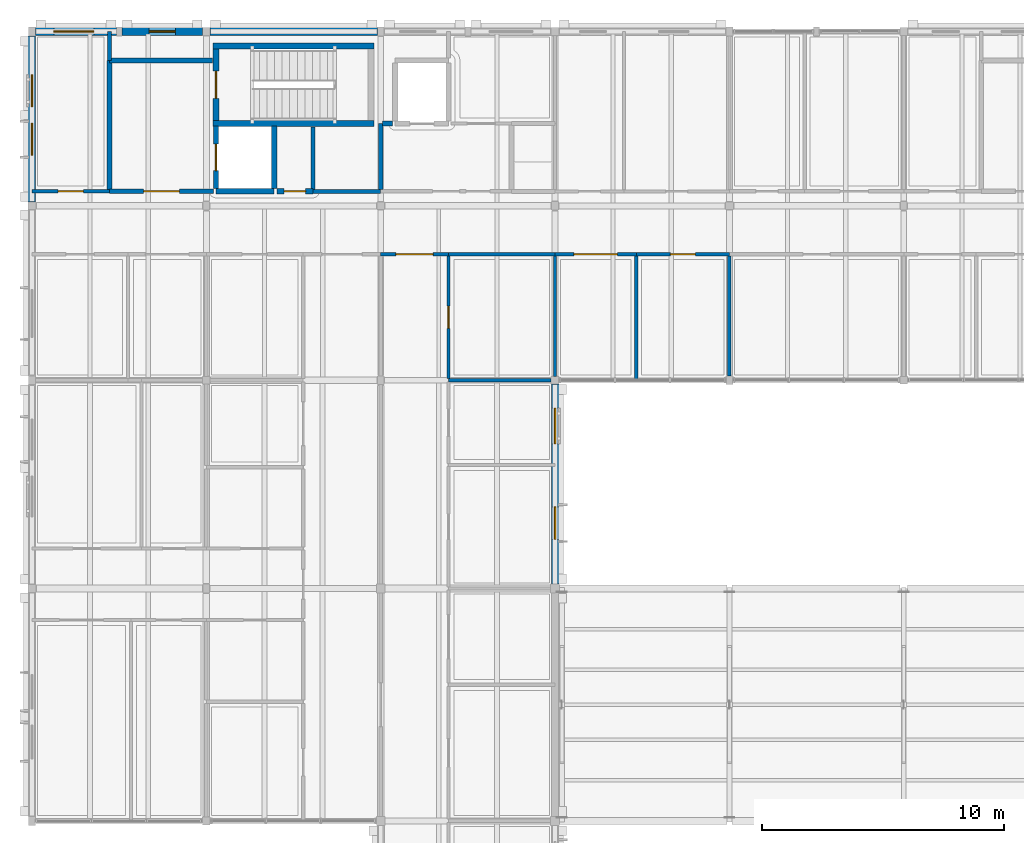
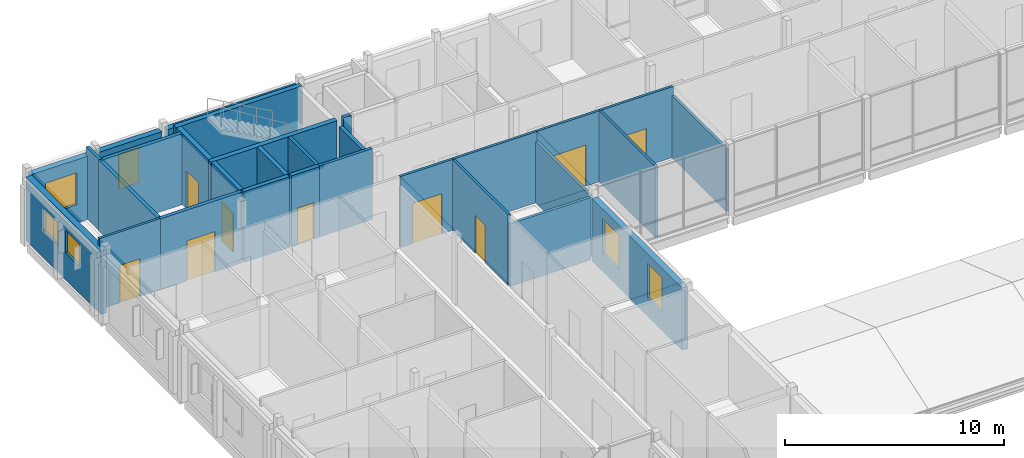
# One storey, part 86 of 115: 30 walls, 9 doors, 6 windows, 15 openings.
"""IFC4 building model written with IfcOpenShell, lengths in metres."""

import ifcopenshell
import ifcopenshell.guid

model = None  # the IFC model being written
_history = None  # IfcOwnerHistory: only IFC2X3 demands one
_inside = {}  # id of a spatial element -> (the spatial element, [elements in it])
_under = {}  # id of a project, library or spatial element -> (it, [spatial elements below it])
_declared = {}  # id of a project -> (the project, [libraries it declares])
_typed = {}  # id of a type object -> (the type object, [elements of that type])
_made_of = {}  # id of a material, layer set ... -> (it, [elements and type objects made of it])


def new_model(schema):
    """Start an empty IFC model of exactly this schema.

    Asked for "IFC4X3", IfcOpenShell would pick the latest addendum, in which some entities
    have other attributes; the version numbers below select the first issue.
    IFC2X3 requires an IfcOwnerHistory on every rooted entity: one is made here for all.
    """
    global model, _history
    if schema == "IFC4X3":
        model = ifcopenshell.file(schema_version=(4, 3, 0, 0))
    else:
        model = ifcopenshell.file(schema=schema)
    _inside.clear()
    _under.clear()
    _declared.clear()
    _typed.clear()
    _made_of.clear()
    _history = None
    if model.schema == "IFC2X3":
        org = make("IfcOrganization", Name="unknown")
        user = make(
            "IfcPersonAndOrganization",
            ThePerson=make("IfcPerson", FamilyName="unknown"),
            TheOrganization=org,
        )
        app = make(
            "IfcApplication",
            ApplicationDeveloper=org,
            Version="unknown",
            ApplicationFullName="unknown",
            ApplicationIdentifier="unknown",
        )
        _history = make(
            "IfcOwnerHistory",
            OwningUser=user,
            OwningApplication=app,
            ChangeAction="ADDED",
            CreationDate=0,
        )
    return model


def make(cls, **values):
    """One entity of the class cls with the attributes given. An attribute that is None is left unset."""
    return model.create_entity(
        cls, **{name: value for name, value in values.items() if value is not None}
    )


def rooted(cls, **values):
    """An entity with a GlobalId (a new one), such as an element, a storey or a relation."""
    return make(cls, GlobalId=ifcopenshell.guid.new(), OwnerHistory=_history, **values)


def si_unit(unit_type, name, prefix=None):
    """IfcSIUnit, for example si_unit("LENGTHUNIT", "METRE", prefix="MILLI")."""
    return make("IfcSIUnit", UnitType=unit_type, Prefix=prefix, Name=name)


def assignment(units):
    """IfcUnitAssignment: the units of a project."""
    return None if units is None else make("IfcUnitAssignment", Units=units)


def point(xyz):
    """IfcCartesianPoint."""
    return None if xyz is None else make("IfcCartesianPoint", Coordinates=xyz)


def direction(xyz):
    """IfcDirection."""
    return None if xyz is None else make("IfcDirection", DirectionRatios=xyz)


def frame(location, z_axis=None, x_axis=None):
    """IfcAxis2Placement3D, a coordinate frame: its origin and axes. An axis left out is left unset."""
    return make(
        "IfcAxis2Placement3D",
        Location=point(location),
        Axis=direction(z_axis),
        RefDirection=direction(x_axis),
    )


def frame_2d(location, x_axis=None):
    """IfcAxis2Placement2D, a coordinate frame in the plane: its origin and x axis."""
    return make(
        "IfcAxis2Placement2D", Location=point(location), RefDirection=direction(x_axis)
    )


def origin():
    """The frame at (0, 0, 0) with its axes left unset."""
    return frame((0.0, 0.0, 0.0))


def place(relative_to, where):
    """IfcLocalPlacement: puts the frame where relative to a parent placement (None: the world)."""
    return make(
        "IfcLocalPlacement", PlacementRelTo=relative_to, RelativePlacement=where
    )


def context(
    kind, dimensions, precision=None, world=None, true_north=None, identifier=None
):
    """IfcGeometricRepresentationContext, for example the 3D "Model" context."""
    return make(
        "IfcGeometricRepresentationContext",
        ContextIdentifier=identifier,
        ContextType=kind,
        CoordinateSpaceDimension=dimensions,
        Precision=precision,
        WorldCoordinateSystem=world,
        TrueNorth=true_north,
    )


def subcontext(parent, identifier, kind, view, scale=None):
    """IfcGeometricRepresentationSubContext, for example "Body" below "Model"."""
    return make(
        "IfcGeometricRepresentationSubContext",
        ContextIdentifier=identifier,
        ContextType=kind,
        ParentContext=parent,
        TargetScale=scale,
        TargetView=view,
    )


def project(units=None, contexts=None):
    """IfcProject with its units and contexts."""
    return rooted(
        "IfcProject",
        Name="project",
        RepresentationContexts=contexts,
        UnitsInContext=assignment(units),
    )


def spatial(cls, under=None, at=None, **own):
    """A site, building, storey or space (cls), placed at a placement, below another one or the project."""
    s = rooted(cls, ObjectPlacement=at, **own)
    if under is not None:
        _under.setdefault(under.id(), (under, []))[1].append(s)
    return s


def profile(cls, at=None, kind="AREA", **sizes):
    """A parametric profile (cls). Its sizes go by their IFC names, for example OverallWidth=200.0."""
    return make(cls, ProfileType=kind, Position=at, **sizes)


def rectangle(**sizes):
    """IfcRectangleProfileDef."""
    return profile("IfcRectangleProfileDef", **sizes)


def extrude(swept, where, along, depth):
    """IfcExtrudedAreaSolid: the profile swept, set in the frame where, extruded along a direction by depth."""
    return make(
        "IfcExtrudedAreaSolid",
        SweptArea=swept,
        Position=where,
        ExtrudedDirection=direction(along),
        Depth=depth,
    )


def shape(context_of_items, identifier, shape_type, items):
    """IfcShapeRepresentation: the items that make up one representation, for example the "Body"."""
    return make(
        "IfcShapeRepresentation",
        ContextOfItems=context_of_items,
        RepresentationIdentifier=identifier,
        RepresentationType=shape_type,
        Items=items,
    )


def material(Name=None, Category=None):
    """IfcMaterial."""
    return make("IfcMaterial", Name=Name, Category=Category)


def layer(
    of_material, thickness, ventilated=None, Name=None, Category=None, Priority=None
):
    """IfcMaterialLayer: one layer of a wall or slab, of a material (None: an air gap)."""
    return make(
        "IfcMaterialLayer",
        Material=of_material,
        LayerThickness=thickness,
        IsVentilated=ventilated,
        Name=Name,
        Category=Category,
        Priority=Priority,
    )


def layer_set(layers, Name=None):
    """IfcMaterialLayerSet."""
    return make("IfcMaterialLayerSet", MaterialLayers=layers, LayerSetName=Name)


def made_of(thing, what):
    """Note that an element or type object is made of a material, layer set ...; save() writes the relation."""
    if what is not None:
        _made_of.setdefault(what.id(), (what, []))[1].append(thing)
    return thing


def type_object(cls, material=None, **own):
    """A type object (cls), such as IfcWallType, which elements share."""
    return made_of(rooted(cls, **own), material)


def element(
    cls,
    number,
    at=None,
    inside=None,
    cuts=None,
    type_object=None,
    material=None,
    context=None,
    identifier="Body",
    shape_type=None,
    held_by="IfcProductDefinitionShape",
    body=None,
    shapes=None,
    **own,
):
    """One element of the class cls, such as IfcWall. Its Tag is "e" and its number.

    at: its placement. inside: the storey or other place that contains it. cuts: it is an
    opening in that element (IfcRelVoidsElement). A single representation is given by context,
    identifier, shape_type and body (its items); several are given by shapes. held_by: the class
    of the entity that holds the representations. save() writes the other relations.
    """
    e = rooted(cls, Tag="e%d" % number, ObjectPlacement=at, **own)
    if body is not None:
        shapes = [shape(context, identifier, shape_type, body)]
    if shapes is not None:
        e.Representation = make(held_by, Representations=shapes)
    if inside is not None:
        _inside.setdefault(inside.id(), (inside, []))[1].append(e)
    if cuts is not None:
        rooted(
            "IfcRelVoidsElement", RelatingBuildingElement=cuts, RelatedOpeningElement=e
        )
    if type_object is not None:
        _typed.setdefault(type_object.id(), (type_object, []))[1].append(e)
    return made_of(e, material)


def fill(opening, filler):
    """IfcRelFillsElement: the door or window that sits in an opening."""
    return rooted(
        "IfcRelFillsElement",
        RelatingOpeningElement=opening,
        RelatedBuildingElement=filler,
    )


def aggregate(whole, parts):
    """IfcRelAggregates: a whole, such as a stair, and the parts it consists of."""
    return rooted("IfcRelAggregates", RelatingObject=whole, RelatedObjects=parts)


def save(model, path):
    """Write the relations noted so far, then the file.

    IfcRelAggregates (storeys below a building ...), IfcRelContainedInSpatialStructure (elements
    in a storey), IfcRelDefinesByType, IfcRelAssociatesMaterial and IfcRelDeclares: one each for
    every whole, place, type object, material and project.
    """
    for whole, parts in _under.values():
        aggregate(whole, parts)
    for where, things in _inside.values():
        rooted(
            "IfcRelContainedInSpatialStructure",
            RelatedElements=things,
            RelatingStructure=where,
        )
    for kind, things in _typed.values():
        rooted("IfcRelDefinesByType", RelatedObjects=things, RelatingType=kind)
    for what, things in _made_of.values():
        rooted("IfcRelAssociatesMaterial", RelatedObjects=things, RelatingMaterial=what)
    for by, libraries in _declared.values():
        rooted("IfcRelDeclares", RelatingContext=by, RelatedDefinitions=libraries)
    model.write(path)


model = new_model("IFC4")

# Units and contexts
model_context = context("Model", 3, precision=1e-05, world=origin(), true_north=direction((0.0, 1.0)))
body_context = subcontext(model_context, "Body", "Model", "MODEL_VIEW")
ifc_project = project(units=[si_unit("LENGTHUNIT", "METRE"), si_unit("AREAUNIT", "SQUARE_METRE"), si_unit("VOLUMEUNIT", "CUBIC_METRE"), si_unit("PLANEANGLEUNIT", "RADIAN"), si_unit("MASSUNIT", "GRAM", prefix="KILO")], contexts=[model_context])

# Site, building, storey
site_placement = place(None, origin())
site = spatial("IfcSite", under=ifc_project, at=site_placement, CompositionType="ELEMENT")
building_placement = place(site_placement, origin())
building = spatial("IfcBuilding", under=site, at=building_placement, Name="Hawrajan Terrace Health Centre", CompositionType="ELEMENT")
storey_placement = place(building_placement, frame((0.0, 0.0, 9.0)))
storey = spatial("IfcBuildingStorey", under=building, at=storey_placement, Name="L02", CompositionType="ELEMENT", Elevation=9.0)

# Wall, opening, window
ifc_material_1 = material(Name="Precast concrete C40/50", Category="concrete")
ifc_layer_1 = layer(ifc_material_1, 0.31005859375)
ifc_layer_set_1 = layer_set([ifc_layer_1], Name="Precast concrete C40/50")
wall_type_1 = type_object("IfcWallType", Name="ArtDecoFacadeWall_310", PredefinedType="SOLIDWALL", material=ifc_layer_set_1)
wall_1_placement = place(storey_placement, frame((4.739990234375, 59.800048828125, 0.0), z_axis=(0.0, 0.0, 1.0), x_axis=(1.0, 0.0, 0.0)))
wall_1 = element("IfcWall", 1, at=wall_1_placement, inside=storey, type_object=wall_type_1, Name="Exterior wall EW-L02-H00-07-1", PredefinedType="SOLIDWALL", context=body_context, shape_type="SweptSolid", body=[
    extrude(rectangle(XDim=3.340087890625, YDim=0.31005859375, at=frame_2d((1.669921875, 0.0))), origin(), (0.0, 0.0, 1.0), 3.530029296875),
])
opening_1_placement = place(wall_1_placement, frame((0.760009765625, 0.0, 1.0)))
opening_1 = element("IfcOpeningElement", 2, at=opening_1_placement, cuts=wall_1, Name="Opening W-L02-120", PredefinedType="OPENING", context=body_context, shape_type="SweptSolid", body=[
    extrude(rectangle(XDim=1.659912109375, YDim=1.800048828125, at=frame_2d((0.830078125, 0.89990234375))), frame((0.0, 0.1650390625, 0.0), z_axis=(0.0, -1.0, 0.0), x_axis=(1.0, 0.0, 0.0)), (0.0, 0.0, 1.0), 0.330078125),
])
ifc_material_2 = material(Name="Anodized bronze frame with double low-E glazing", Category="glass")
window_type_1 = type_object("IfcWindowType", Name="FacadeWindow_1660x1800", PartitioningType="DOUBLE_PANEL_VERTICAL", PredefinedType="WINDOW", material=ifc_material_2)
window_1_placement = place(opening_1_placement, origin())
window_1 = element("IfcWindow", 3, at=window_1_placement, inside=storey, type_object=window_type_1, Name="Window W-L02-120", OverallHeight=1.800048828125, OverallWidth=1.659912109375, PartitioningType="DOUBLE_PANEL_VERTICAL", PredefinedType="WINDOW", context=body_context, shape_type="SweptSolid", body=[
    extrude(rectangle(XDim=1.659912109375, YDim=1.800048828125, at=frame_2d((0.830078125, 0.89990234375))), frame((0.0, 0.030029296875, 0.0), z_axis=(0.0, -1.0, 0.0), x_axis=(1.0, 0.0, 0.0)), (0.0, 0.0, 1.0), 0.06005859375),
])
fill(opening_1, window_1)

wall_2_placement = place(storey_placement, frame((8.320068359375, 59.800048828125, 0.0), z_axis=(0.0, 0.0, 1.0), x_axis=(1.0, 0.0, 0.0)))
wall_2 = element("IfcWall", 4, at=wall_2_placement, inside=storey, type_object=wall_type_1, Name="Exterior wall EW-L02-H00-07-2", PredefinedType="SOLIDWALL", context=body_context, shape_type="SweptSolid", body=[
    extrude(rectangle(XDim=3.31982421875, YDim=0.31005859375, at=frame_2d((1.659912109375, 0.0))), origin(), (0.0, 0.0, 1.0), 3.530029296875),
])
opening_2_placement = place(wall_2_placement, frame((1.1201171875, 0.0, 1.0)))
opening_2 = element("IfcOpeningElement", 5, at=opening_2_placement, cuts=wall_2, Name="Opening W-L02-121", PredefinedType="OPENING", context=body_context, shape_type="SweptSolid", body=[
    extrude(rectangle(XDim=1.080078125, YDim=1.949951171875, at=frame_2d((0.5400390625, 0.97509765625))), frame((0.0, 0.1650390625, 0.0), z_axis=(0.0, -1.0, 0.0), x_axis=(1.0, 0.0, 0.0)), (0.0, 0.0, 1.0), 0.330078125),
])
window_type_2 = type_object("IfcWindowType", Name="FacadeWindow_1080x1950", PartitioningType="SINGLE_PANEL", PredefinedType="WINDOW", material=ifc_material_2)
window_2_placement = place(opening_2_placement, origin())
window_2 = element("IfcWindow", 6, at=window_2_placement, inside=storey, type_object=window_type_2, Name="Window W-L02-121", OverallHeight=1.949951171875, OverallWidth=1.080078125, PartitioningType="SINGLE_PANEL", PredefinedType="WINDOW", context=body_context, shape_type="SweptSolid", body=[
    extrude(rectangle(XDim=1.080078125, YDim=1.949951171875, at=frame_2d((0.5400390625, 0.97509765625))), frame((0.0, 0.030029296875, 0.0), z_axis=(0.0, -1.0, 0.0), x_axis=(1.0, 0.0, 0.0)), (0.0, 0.0, 1.0), 0.06005859375),
])
fill(opening_2, window_2)

# Wall, openings, windows
wall_3_placement = place(storey_placement, frame((4.60009765625, 52.760009765625, 0.0), z_axis=(0.0, 0.0, 1.0), x_axis=(0.0, 1.0, 0.0)))
wall_3 = element("IfcWall", 7, at=wall_3_placement, inside=storey, type_object=wall_type_1, Name="Exterior wall EW-L02-V00-06-1", PredefinedType="SOLIDWALL", context=body_context, shape_type="SweptSolid", body=[
    extrude(rectangle(XDim=6.860107421875, YDim=0.31005859375, at=frame_2d((3.43017578125, 0.0))), origin(), (0.0, 0.0, 1.0), 3.530029296875),
])
opening_3_placement = place(wall_3_placement, frame((1.929931640625, 0.0, 1.5)))
opening_3 = element("IfcOpeningElement", 8, at=opening_3_placement, cuts=wall_3, Name="Opening W-L02-122", PredefinedType="OPENING", context=body_context, shape_type="SweptSolid", body=[
    extrude(rectangle(XDim=1.320068359375, YDim=1.25, at=frame_2d((0.66015625, 0.625))), frame((0.0, 0.1650390625, 0.0), z_axis=(0.0, -1.0, 0.0), x_axis=(1.0, 0.0, 0.0)), (0.0, 0.0, 1.0), 0.330078125),
])
opening_4_placement = place(wall_3_placement, frame((3.929931640625, 0.0, 1.5)))
opening_4 = element("IfcOpeningElement", 9, at=opening_4_placement, cuts=wall_3, Name="Opening W-L02-123", PredefinedType="OPENING", context=body_context, shape_type="SweptSolid", body=[
    extrude(rectangle(XDim=1.320068359375, YDim=1.25, at=frame_2d((0.66015625, 0.625))), frame((0.0, 0.1650390625, 0.0), z_axis=(0.0, -1.0, 0.0), x_axis=(1.0, 0.0, 0.0)), (0.0, 0.0, 1.0), 0.330078125),
])
window_type_3 = type_object("IfcWindowType", Name="FacadeWindow_1320x1250", PartitioningType="SINGLE_PANEL", PredefinedType="WINDOW", material=ifc_material_2)
window_3_placement = place(opening_3_placement, origin())
window_3 = element("IfcWindow", 10, at=window_3_placement, inside=storey, type_object=window_type_3, Name="Window W-L02-122", OverallHeight=1.25, OverallWidth=1.320068359375, PartitioningType="SINGLE_PANEL", PredefinedType="WINDOW", context=body_context, shape_type="SweptSolid", body=[
    extrude(rectangle(XDim=1.320068359375, YDim=1.25, at=frame_2d((0.66015625, 0.625))), frame((0.0, 0.030029296875, 0.0), z_axis=(0.0, -1.0, 0.0), x_axis=(1.0, 0.0, 0.0)), (0.0, 0.0, 1.0), 0.06005859375),
])
fill(opening_3, window_3)
window_4_placement = place(opening_4_placement, origin())
window_4 = element("IfcWindow", 11, at=window_4_placement, inside=storey, type_object=window_type_3, Name="Window W-L02-123", OverallHeight=1.25, OverallWidth=1.320068359375, PartitioningType="SINGLE_PANEL", PredefinedType="WINDOW", context=body_context, shape_type="SweptSolid", body=[
    extrude(rectangle(XDim=1.320068359375, YDim=1.25, at=frame_2d((0.66015625, 0.625))), frame((0.0, 0.030029296875, 0.0), z_axis=(0.0, -1.0, 0.0), x_axis=(1.0, 0.0, 0.0)), (0.0, 0.0, 1.0), 0.06005859375),
])
fill(opening_4, window_4)

# Wall
wall_4_placement = place(storey_placement, frame((11.9599609375, 59.800048828125, 0.0), z_axis=(0.0, 0.0, 1.0), x_axis=(1.0, 0.0, 0.0)))
element("IfcWall", 12, at=wall_4_placement, inside=storey, type_object=wall_type_1, Name="Exterior wall EW-L02-H01-07-1", PredefinedType="SOLIDWALL", context=body_context, shape_type="SweptSolid", body=[
    extrude(rectangle(XDim=6.900146484375, YDim=0.31005859375, at=frame_2d((3.4501953125, 0.0))), origin(), (0.0, 0.0, 1.0), 3.530029296875),
])

# Wall, openings, windows
wall_5_placement = place(storey_placement, frame((26.199951171875, 36.97998046875, 0.0), z_axis=(0.0, 0.0, 1.0), x_axis=(0.0, 1.0, 0.0)))
wall_5 = element("IfcWall", 13, at=wall_5_placement, inside=storey, type_object=wall_type_1, Name="Exterior wall EW-L02-V03-04-1", PredefinedType="SOLIDWALL", context=body_context, shape_type="SweptSolid", body=[
    extrude(rectangle(XDim=8.260009765625, YDim=0.31005859375, at=frame_2d((4.1298828125, 0.0))), origin(), (0.0, 0.0, 1.0), 3.489990234375),
])
opening_5_placement = place(wall_5_placement, frame((1.849853515625, 0.0, 1.0)))
opening_5 = element("IfcOpeningElement", 14, at=opening_5_placement, cuts=wall_5, Name="Opening W-L02-131", PredefinedType="OPENING", context=body_context, shape_type="SweptSolid", body=[
    extrude(rectangle(XDim=1.340087890625, YDim=1.949951171875, at=frame_2d((0.669921875, 0.97509765625))), frame((0.0, 0.1650390625, 0.0), z_axis=(0.0, -1.0, 0.0), x_axis=(1.0, 0.0, 0.0)), (0.0, 0.0, 1.0), 0.330078125),
])
opening_6_placement = place(wall_5_placement, frame((5.789794921875, 0.0, 1.0)))
opening_6 = element("IfcOpeningElement", 15, at=opening_6_placement, cuts=wall_5, Name="Opening W-L02-132", PredefinedType="OPENING", context=body_context, shape_type="SweptSolid", body=[
    extrude(rectangle(XDim=1.47998046875, YDim=1.949951171875, at=frame_2d((0.739990234375, 0.97509765625))), frame((0.0, 0.1650390625, 0.0), z_axis=(0.0, -1.0, 0.0), x_axis=(1.0, 0.0, 0.0)), (0.0, 0.0, 1.0), 0.330078125),
])
window_type_4 = type_object("IfcWindowType", Name="FacadeWindow_1340x1950", PartitioningType="SINGLE_PANEL", PredefinedType="WINDOW", material=ifc_material_2)
window_5_placement = place(opening_5_placement, origin())
window_5 = element("IfcWindow", 16, at=window_5_placement, inside=storey, type_object=window_type_4, Name="Window W-L02-131", OverallHeight=1.949951171875, OverallWidth=1.340087890625, PartitioningType="SINGLE_PANEL", PredefinedType="WINDOW", context=body_context, shape_type="SweptSolid", body=[
    extrude(rectangle(XDim=1.340087890625, YDim=1.949951171875, at=frame_2d((0.669921875, 0.97509765625))), frame((0.0, 0.030029296875, 0.0), z_axis=(0.0, -1.0, 0.0), x_axis=(1.0, 0.0, 0.0)), (0.0, 0.0, 1.0), 0.06005859375),
])
fill(opening_5, window_5)
window_type_5 = type_object("IfcWindowType", Name="FacadeWindow_1480x1950", PartitioningType="SINGLE_PANEL", PredefinedType="WINDOW", material=ifc_material_2)
window_6_placement = place(opening_6_placement, origin())
window_6 = element("IfcWindow", 17, at=window_6_placement, inside=storey, type_object=window_type_5, Name="Window W-L02-132", OverallHeight=1.949951171875, OverallWidth=1.47998046875, PartitioningType="SINGLE_PANEL", PredefinedType="WINDOW", context=body_context, shape_type="SweptSolid", body=[
    extrude(rectangle(XDim=1.47998046875, YDim=1.949951171875, at=frame_2d((0.739990234375, 0.97509765625))), frame((0.0, 0.030029296875, 0.0), z_axis=(0.0, -1.0, 0.0), x_axis=(1.0, 0.0, 0.0)), (0.0, 0.0, 1.0), 0.06005859375),
])
fill(opening_6, window_6)

# Wall, opening, door
ifc_material_3 = material(Name="Gypsum board on acoustic stud framing")
ifc_layer_2 = layer(ifc_material_3, 0.139892578125)
ifc_layer_set_2 = layer_set([ifc_layer_2], Name="Gypsum board on acoustic stud framing")
wall_type_2 = type_object("IfcWallType", Name="ClinicalAcousticWall_140", PredefinedType="PARTITIONING", material=ifc_layer_set_2)
wall_6_placement = place(storey_placement, frame((4.60009765625, 53.199951171875, 0.0), z_axis=(0.0, 0.0, 1.0), x_axis=(1.0, 0.0, 0.0)))
wall_6 = element("IfcWall", 18, at=wall_6_placement, inside=storey, type_object=wall_type_2, Name="Interior wall IW-L02-0985", PredefinedType="PARTITIONING", context=body_context, shape_type="SweptSolid", body=[
    extrude(rectangle(XDim=3.199951171875, YDim=0.139892578125, at=frame_2d((1.60009765625, 0.0))), origin(), (0.0, 0.0, 1.0), 3.9599609375),
])
opening_7_placement = place(wall_6_placement, frame((1.080078125, 0.0, 0.0)))
opening_7 = element("IfcOpeningElement", 19, at=opening_7_placement, cuts=wall_6, Name="Opening D-L02-474", PredefinedType="OPENING", context=body_context, shape_type="SweptSolid", body=[
    extrude(rectangle(XDim=1.0400390625, YDim=2.10009765625, at=frame_2d((0.52001953125, 1.050048828125))), frame((0.0, 0.079833984375, 0.0), z_axis=(0.0, -1.0, 0.0), x_axis=(1.0, 0.0, 0.0)), (0.0, 0.0, 1.0), 0.159912109375),
])
ifc_material_4 = material(Name="Hardwood acoustic clinical door leaf and frame", Category="wood")
door_type_1 = type_object("IfcDoorType", Name="ConsultDoor_1040x2100", OperationType="NOTDEFINED", PredefinedType="DOOR", material=ifc_material_4)
door_1_placement = place(opening_7_placement, origin())
door_1 = element("IfcDoor", 20, at=door_1_placement, inside=storey, type_object=door_type_1, Name="Interior door D-L02-474", OperationType="SINGLE_SWING_RIGHT", OverallHeight=2.10009765625, OverallWidth=1.0400390625, PredefinedType="DOOR", context=body_context, shape_type="SweptSolid", body=[
    extrude(rectangle(XDim=1.0400390625, YDim=2.10009765625, at=frame_2d((0.52001953125, 1.050048828125))), frame((0.0, 0.02490234375, 0.0), z_axis=(0.0, -1.0, 0.0), x_axis=(1.0, 0.0, 0.0)), (0.0, 0.0, 1.0), 0.050048828125),
])
fill(opening_7, door_1)

wall_7_placement = place(storey_placement, frame((19.0, 50.60009765625, 0.0), z_axis=(0.0, 0.0, 1.0), x_axis=(1.0, 0.0, 0.0)))
wall_7 = element("IfcWall", 21, at=wall_7_placement, inside=storey, type_object=wall_type_2, Name="Interior wall IW-L02-1028", PredefinedType="PARTITIONING", context=body_context, shape_type="SweptSolid", body=[
    extrude(rectangle(XDim=2.800048828125, YDim=0.139892578125, at=frame_2d((1.39990234375, 0.0))), origin(), (0.0, 0.0, 1.0), 3.9599609375),
])
opening_8_placement = place(wall_7_placement, frame((0.6298828125, 0.0, 0.0)))
opening_8 = element("IfcOpeningElement", 22, at=opening_8_placement, cuts=wall_7, Name="Opening D-L02-446", PredefinedType="OPENING", context=body_context, shape_type="SweptSolid", body=[
    extrude(rectangle(XDim=1.5400390625, YDim=2.25, at=frame_2d((0.77001953125, 1.125))), frame((0.0, 0.079833984375, 0.0), z_axis=(0.0, -1.0, 0.0), x_axis=(1.0, 0.0, 0.0)), (0.0, 0.0, 1.0), 0.159912109375),
])
door_type_2 = type_object("IfcDoorType", Name="RecoveryBayDoor_1540x2250", OperationType="DOUBLE_DOOR_SINGLE_SWING", PredefinedType="DOOR", material=ifc_material_4)
door_2_placement = place(opening_8_placement, origin())
door_2 = element("IfcDoor", 23, at=door_2_placement, inside=storey, type_object=door_type_2, Name="Interior door D-L02-446", OperationType="DOUBLE_DOOR_SINGLE_SWING", OverallHeight=2.25, OverallWidth=1.5400390625, PredefinedType="DOOR", context=body_context, shape_type="SweptSolid", body=[
    extrude(rectangle(XDim=1.5400390625, YDim=2.25, at=frame_2d((0.77001953125, 1.125))), frame((0.0, 0.02490234375, 0.0), z_axis=(0.0, -1.0, 0.0), x_axis=(1.0, 0.0, 0.0)), (0.0, 0.0, 1.0), 0.050048828125),
])
fill(opening_8, door_2)

wall_8_placement = place(storey_placement, frame((21.800048828125, 45.469970703125, 0.0), z_axis=(0.0, 0.0, 1.0), x_axis=(0.0, 1.0, 0.0)))
wall_8 = element("IfcWall", 24, at=wall_8_placement, inside=storey, type_object=wall_type_2, Name="Interior wall IW-L02-1044", PredefinedType="PARTITIONING", context=body_context, shape_type="SweptSolid", body=[
    extrude(rectangle(XDim=5.06005859375, YDim=0.139892578125, at=frame_2d((2.530029296875, 0.0))), origin(), (0.0, 0.0, 1.0), 3.9599609375),
])
opening_9_placement = place(wall_8_placement, frame((2.070068359375, 0.0, 0.0)))
opening_9 = element("IfcOpeningElement", 25, at=opening_9_placement, cuts=wall_8, Name="Opening D-L02-486", PredefinedType="OPENING", context=body_context, shape_type="SweptSolid", body=[
    extrude(rectangle(XDim=0.919921875, YDim=2.10009765625, at=frame_2d((0.4599609375, 1.050048828125))), frame((0.0, 0.079833984375, 0.0), z_axis=(0.0, -1.0, 0.0), x_axis=(1.0, 0.0, 0.0)), (0.0, 0.0, 1.0), 0.159912109375),
])
door_type_3 = type_object("IfcDoorType", Name="StaffOfficeDoor_920x2100", OperationType="NOTDEFINED", PredefinedType="DOOR", material=ifc_material_4)
door_3_placement = place(opening_9_placement, origin())
door_3 = element("IfcDoor", 26, at=door_3_placement, inside=storey, type_object=door_type_3, Name="Interior door D-L02-486", OperationType="SINGLE_SWING_RIGHT", OverallHeight=2.10009765625, OverallWidth=0.919921875, PredefinedType="DOOR", context=body_context, shape_type="SweptSolid", body=[
    extrude(rectangle(XDim=0.919921875, YDim=2.10009765625, at=frame_2d((0.4599609375, 1.050048828125))), frame((0.0, 0.02490234375, 0.0), z_axis=(0.0, -1.0, 0.0), x_axis=(1.0, 0.0, 0.0)), (0.0, 0.0, 1.0), 0.050048828125),
])
fill(opening_9, door_3)

# Walls
wall_9_placement = place(storey_placement, frame((21.800048828125, 45.39990234375, 0.0), z_axis=(0.0, 0.0, 1.0), x_axis=(1.0, 0.0, 0.0)))
element("IfcWall", 27, at=wall_9_placement, inside=storey, type_object=wall_type_2, Name="Interior wall IW-L02-1045", PredefinedType="PARTITIONING", context=body_context, shape_type="SweptSolid", body=[
    extrude(rectangle(XDim=4.239990234375, YDim=0.139892578125, at=frame_2d((2.1201171875, 0.0))), origin(), (0.0, 0.0, 1.0), 3.489990234375),
])
wall_10_placement = place(storey_placement, frame((21.800048828125, 50.60009765625, 0.0), z_axis=(0.0, 0.0, 1.0), x_axis=(1.0, 0.0, 0.0)))
element("IfcWall", 28, at=wall_10_placement, inside=storey, type_object=wall_type_2, Name="Interior wall IW-L02-1046", PredefinedType="PARTITIONING", context=body_context, shape_type="SweptSolid", body=[
    extrude(rectangle(XDim=4.39990234375, YDim=0.139892578125, at=frame_2d((2.199951171875, 0.0))), origin(), (0.0, 0.0, 1.0), 3.9599609375),
])
wall_11_placement = place(storey_placement, frame((26.199951171875, 45.56005859375, 0.0), z_axis=(0.0, 0.0, 1.0), x_axis=(0.0, 1.0, 0.0)))
element("IfcWall", 29, at=wall_11_placement, inside=storey, type_object=wall_type_2, Name="Interior wall IW-L02-1054", PredefinedType="PARTITIONING", context=body_context, shape_type="SweptSolid", body=[
    extrude(rectangle(XDim=4.969970703125, YDim=0.139892578125, at=frame_2d((2.48486328125, 0.0))), origin(), (0.0, 0.0, 1.0), 3.429931640625),
])

# Wall, opening, door
wall_12_placement = place(storey_placement, frame((26.199951171875, 50.60009765625, 0.0), z_axis=(0.0, 0.0, 1.0), x_axis=(1.0, 0.0, 0.0)))
wall_12 = element("IfcWall", 30, at=wall_12_placement, inside=storey, type_object=wall_type_2, Name="Interior wall IW-L02-1055", PredefinedType="PARTITIONING", context=body_context, shape_type="SweptSolid", body=[
    extrude(rectangle(XDim=3.35498046875, YDim=0.139892578125, at=frame_2d((1.677490234375, 0.0))), origin(), (0.0, 0.0, 1.0), 3.9599609375),
])
opening_10_placement = place(wall_12_placement, frame((0.777587890625, 0.0, 0.0)))
opening_10 = element("IfcOpeningElement", 31, at=opening_10_placement, cuts=wall_12, Name="Opening D-L02-488", PredefinedType="OPENING", context=body_context, shape_type="SweptSolid", body=[
    extrude(rectangle(XDim=1.800048828125, YDim=2.300048828125, at=frame_2d((0.89990234375, 1.14990234375))), frame((0.0, 0.079833984375, 0.0), z_axis=(0.0, -1.0, 0.0), x_axis=(1.0, 0.0, 0.0)), (0.0, 0.0, 1.0), 0.159912109375),
])
door_type_4 = type_object("IfcDoorType", Name="EducationHallDoor_1800x2300", OperationType="DOUBLE_DOOR_SINGLE_SWING", PredefinedType="DOOR", material=ifc_material_4)
door_4_placement = place(opening_10_placement, origin())
door_4 = element("IfcDoor", 32, at=door_4_placement, inside=storey, type_object=door_type_4, Name="Interior door D-L02-488", OperationType="DOUBLE_DOOR_SINGLE_SWING", OverallHeight=2.300048828125, OverallWidth=1.800048828125, PredefinedType="DOOR", context=body_context, shape_type="SweptSolid", body=[
    extrude(rectangle(XDim=1.800048828125, YDim=2.300048828125, at=frame_2d((0.89990234375, 1.14990234375))), frame((0.0, 0.02490234375, 0.0), z_axis=(0.0, -1.0, 0.0), x_axis=(1.0, 0.0, 0.0)), (0.0, 0.0, 1.0), 0.050048828125),
])
fill(opening_10, door_4)

# Wall
wall_13_placement = place(storey_placement, frame((29.554931640625, 45.39990234375, 0.0), z_axis=(0.0, 0.0, 1.0), x_axis=(0.0, 1.0, 0.0)))
element("IfcWall", 33, at=wall_13_placement, inside=storey, type_object=wall_type_2, Name="Interior wall IW-L02-1062", PredefinedType="PARTITIONING", context=body_context, shape_type="SweptSolid", body=[
    extrude(rectangle(XDim=5.130126953125, YDim=0.139892578125, at=frame_2d((2.56494140625, 0.0))), origin(), (0.0, 0.0, 1.0), 3.9599609375),
])

# Wall, opening, door
wall_14_placement = place(storey_placement, frame((29.554931640625, 50.60009765625, 0.0), z_axis=(0.0, 0.0, 1.0), x_axis=(1.0, 0.0, 0.0)))
wall_14 = element("IfcWall", 34, at=wall_14_placement, inside=storey, type_object=wall_type_2, Name="Interior wall IW-L02-1063", PredefinedType="PARTITIONING", context=body_context, shape_type="SweptSolid", body=[
    extrude(rectangle(XDim=3.844970703125, YDim=0.139892578125, at=frame_2d((1.92236328125, 0.0))), origin(), (0.0, 0.0, 1.0), 3.9599609375),
])
opening_11_placement = place(wall_14_placement, frame((1.402587890625, 0.0, 0.0)))
opening_11 = element("IfcOpeningElement", 35, at=opening_11_placement, cuts=wall_14, Name="Opening D-L02-489", PredefinedType="OPENING", context=body_context, shape_type="SweptSolid", body=[
    extrude(rectangle(XDim=1.0400390625, YDim=2.10009765625, at=frame_2d((0.52001953125, 1.050048828125))), frame((0.0, 0.079833984375, 0.0), z_axis=(0.0, -1.0, 0.0), x_axis=(1.0, 0.0, 0.0)), (0.0, 0.0, 1.0), 0.159912109375),
])
door_5_placement = place(opening_11_placement, origin())
door_5 = element("IfcDoor", 36, at=door_5_placement, inside=storey, type_object=door_type_1, Name="Interior door D-L02-489", OperationType="SINGLE_SWING_LEFT", OverallHeight=2.10009765625, OverallWidth=1.0400390625, PredefinedType="DOOR", context=body_context, shape_type="SweptSolid", body=[
    extrude(rectangle(XDim=1.0400390625, YDim=2.10009765625, at=frame_2d((0.52001953125, 1.050048828125))), frame((0.0, 0.02490234375, 0.0), z_axis=(0.0, -1.0, 0.0), x_axis=(1.0, 0.0, 0.0)), (0.0, 0.0, 1.0), 0.050048828125),
])
fill(opening_11, door_5)

# Walls
wall_15_placement = place(storey_placement, frame((33.39990234375, 45.580078125, 0.0), z_axis=(0.0, 0.0, 1.0), x_axis=(0.0, 1.0, 0.0)))
element("IfcWall", 37, at=wall_15_placement, inside=storey, type_object=wall_type_2, Name="Interior wall IW-L02-1068", PredefinedType="PARTITIONING", context=body_context, shape_type="SweptSolid", body=[
    extrude(rectangle(XDim=4.949951171875, YDim=0.139892578125, at=frame_2d((2.47509765625, 0.0))), origin(), (0.0, 0.0, 1.0), 3.469970703125),
])
ifc_material_5 = material(Name="Concrete C40/50", Category="concrete")
ifc_layer_3 = layer(ifc_material_5, 0.260009765625)
ifc_layer_set_3 = layer_set([ifc_layer_3], Name="Concrete C40/50")
wall_type_3 = type_object("IfcWallType", Name="CoreShearWall_RC260", PredefinedType="SHEAR", material=ifc_layer_set_3)
for number, where, z_axis, x_axis, name in (
    (38, (12.070068359375, 56.0, 0.0), (0.0, 0.0, 1.0), (1.0, 0.0, 0.0), "Core shear wall SW-C1-L02-S"),
    (39, (12.070068359375, 59.199951171875, 0.0), (0.0, 0.0, 1.0), (1.0, 0.0, 0.0), "Core shear wall SW-C1-L02-N"),
):
    element("IfcWall", number, at=place(storey_placement, frame(where, z_axis=z_axis, x_axis=x_axis)), inside=storey, type_object=wall_type_3, Name=name, PredefinedType="SHEAR", context=body_context, shape_type="SweptSolid", body=[
        extrude(rectangle(XDim=6.659912109375, YDim=0.260009765625, at=frame_2d((3.330078125, 0.0))), origin(), (0.0, 0.0, 1.0), 3.949951171875),
    ])

# Wall, opening, door
wall_16_placement = place(storey_placement, frame((12.199951171875, 56.1298828125, 0.0), z_axis=(0.0, 0.0, 1.0), x_axis=(0.0, 1.0, 0.0)))
wall_16 = element("IfcWall", 40, at=wall_16_placement, inside=storey, type_object=wall_type_3, Name="Core shear wall SW-C1-L02-W", PredefinedType="SHEAR", context=body_context, shape_type="SweptSolid", body=[
    extrude(rectangle(XDim=2.940185546875, YDim=0.260009765625, at=frame_2d((1.47021484375, 0.0))), origin(), (0.0, 0.0, 1.0), 3.949951171875),
])
opening_12_placement = place(wall_16_placement, frame((0.909912109375, 0.0, 0.0)))
opening_12 = element("IfcOpeningElement", 41, at=opening_12_placement, cuts=wall_16, Name="Opening D-L02-431", PredefinedType="OPENING", context=body_context, shape_type="SweptSolid", body=[
    extrude(rectangle(XDim=1.1201171875, YDim=2.10009765625, at=frame_2d((0.56005859375, 1.050048828125))), frame((0.0, 0.139892578125, 0.0), z_axis=(0.0, -1.0, 0.0), x_axis=(1.0, 0.0, 0.0)), (0.0, 0.0, 1.0), 0.280029296875),
])
ifc_material_6 = material(Name="Timber-veneered acoustic fire-resisting door assembly", Category="wood")
door_type_5 = type_object("IfcDoorType", Name="CoreStairDoor_1120x2100", OperationType="NOTDEFINED", PredefinedType="DOOR", material=ifc_material_6)
door_6_placement = place(opening_12_placement, origin())
door_6 = element("IfcDoor", 42, at=door_6_placement, inside=storey, type_object=door_type_5, Name="Interior door D-L02-431", OperationType="SINGLE_SWING_LEFT", OverallHeight=2.10009765625, OverallWidth=1.1201171875, PredefinedType="DOOR", context=body_context, shape_type="SweptSolid", body=[
    extrude(rectangle(XDim=1.1201171875, YDim=2.10009765625, at=frame_2d((0.56005859375, 1.050048828125))), frame((0.0, 0.02490234375, 0.0), z_axis=(0.0, -1.0, 0.0), x_axis=(1.0, 0.0, 0.0)), (0.0, 0.0, 1.0), 0.050048828125),
])
fill(opening_12, door_6)

# Walls
ifc_layer_4 = layer(ifc_material_3, 0.159912109375)
ifc_layer_set_4 = layer_set([ifc_layer_4], Name="Gypsum board on acoustic stud framing")
wall_type_4 = type_object("IfcWallType", Name="CorridorFireWall_160", PredefinedType="PARTITIONING", material=ifc_layer_set_4)
wall_17_placement = place(storey_placement, frame((16.199951171875, 53.27001953125, 0.0), z_axis=(0.0, 0.0, 1.0), x_axis=(0.0, 1.0, 0.0)))
element("IfcWall", 43, at=wall_17_placement, inside=storey, type_object=wall_type_4, Name="Interior wall IW-L02-1209", PredefinedType="PARTITIONING", context=body_context, shape_type="SweptSolid", body=[
    extrude(rectangle(XDim=2.590087890625, YDim=0.159912109375, at=frame_2d((1.294921875, 0.0))), origin(), (0.0, 0.0, 1.0), 3.9599609375),
])
wall_18_placement = place(storey_placement, frame((19.0, 53.199951171875, 0.0), z_axis=(0.0, 0.0, 1.0), x_axis=(-1.0, 0.0, 0.0)))
element("IfcWall", 44, at=wall_18_placement, inside=storey, type_object=wall_type_4, Name="Interior wall IW-L02-1225", PredefinedType="PARTITIONING", context=body_context, shape_type="SweptSolid", body=[
    extrude(rectangle(XDim=2.800048828125, YDim=0.159912109375, at=frame_2d((1.39990234375, 0.0))), origin(), (0.0, 0.0, 1.0), 3.9599609375),
])
wall_19_placement = place(storey_placement, frame((7.800048828125, 58.60009765625, 0.0), z_axis=(0.0, 0.0, 1.0), x_axis=(0.0, 1.0, 0.0)))
element("IfcWall", 45, at=wall_19_placement, inside=storey, type_object=wall_type_4, Name="Interior wall IW-L02-1253", PredefinedType="PARTITIONING", context=body_context, shape_type="SweptSolid", body=[
    extrude(rectangle(XDim=1.199951171875, YDim=0.159912109375, at=frame_2d((0.60009765625, 0.0))), origin(), (0.0, 0.0, 1.0), 3.9599609375),
])
ifc_material_7 = material(Name="Cross-laminated timber CLT C24", Category="wood")
ifc_layer_5 = layer(ifc_material_7, 0.199951171875)
ifc_layer_set_5 = layer_set([ifc_layer_5], Name="Cross-laminated timber CLT C24")
wall_type_5 = type_object("IfcWallType", Name="FireCompartmentWall_200", PredefinedType="PARTITIONING", material=ifc_layer_set_5)
wall_20_placement = place(storey_placement, frame((7.800048828125, 53.27001953125, 0.0), z_axis=(0.0, 0.0, 1.0), x_axis=(0.0, 1.0, 0.0)))
element("IfcWall", 46, at=wall_20_placement, inside=storey, type_object=wall_type_5, Name="Interior wall IW-L02-0988", PredefinedType="PARTITIONING", context=body_context, shape_type="SweptSolid", body=[
    extrude(rectangle(XDim=5.330078125, YDim=0.199951171875, at=frame_2d((2.6650390625, 0.0))), origin(), (0.0, 0.0, 1.0), 3.9599609375),
])

# Wall, opening, door
wall_21_placement = place(storey_placement, frame((7.800048828125, 53.199951171875, 0.0), z_axis=(0.0, 0.0, 1.0), x_axis=(1.0, 0.0, 0.0)))
wall_21 = element("IfcWall", 47, at=wall_21_placement, inside=storey, type_object=wall_type_5, Name="Interior wall IW-L02-0989", PredefinedType="PARTITIONING", context=body_context, shape_type="SweptSolid", body=[
    extrude(rectangle(XDim=4.2900390625, YDim=0.199951171875, at=frame_2d((2.14501953125, 0.0))), origin(), (0.0, 0.0, 1.0), 3.9599609375),
])
opening_13_placement = place(wall_21_placement, frame((1.405029296875, 0.0, 0.0)))
opening_13 = element("IfcOpeningElement", 48, at=opening_13_placement, cuts=wall_21, Name="Opening D-L02-438", PredefinedType="OPENING", context=body_context, shape_type="SweptSolid", body=[
    extrude(rectangle(XDim=1.47998046875, YDim=2.25, at=frame_2d((0.739990234375, 1.125))), frame((0.0, 0.10986328125, 0.0), z_axis=(0.0, -1.0, 0.0), x_axis=(1.0, 0.0, 0.0)), (0.0, 0.0, 1.0), 0.219970703125),
])
door_type_6 = type_object("IfcDoorType", Name="FFLobbyDoor_1480x2250", OperationType="DOUBLE_DOOR_SINGLE_SWING", PredefinedType="DOOR", material=ifc_material_6)
door_7_placement = place(opening_13_placement, origin())
door_7 = element("IfcDoor", 49, at=door_7_placement, inside=storey, type_object=door_type_6, Name="Interior door D-L02-438", OperationType="DOUBLE_DOOR_SINGLE_SWING", OverallHeight=2.25, OverallWidth=1.47998046875, PredefinedType="DOOR", context=body_context, shape_type="SweptSolid", body=[
    extrude(rectangle(XDim=1.47998046875, YDim=2.25, at=frame_2d((0.739990234375, 1.125))), frame((0.0, 0.02490234375, 0.0), z_axis=(0.0, -1.0, 0.0), x_axis=(1.0, 0.0, 0.0)), (0.0, 0.0, 1.0), 0.050048828125),
])
fill(opening_13, door_7)

# Walls
wall_22_placement = place(storey_placement, frame((12.06005859375, 58.60009765625, 0.0), z_axis=(0.0, 0.0, 1.0), x_axis=(-1.0, 0.0, 0.0)))
element("IfcWall", 50, at=wall_22_placement, inside=storey, type_object=wall_type_5, Name="Interior wall IW-L02-1213", PredefinedType="PARTITIONING", context=body_context, shape_type="SweptSolid", body=[
    extrude(rectangle(XDim=4.260009765625, YDim=0.199951171875, at=frame_2d((2.1298828125, 0.0))), origin(), (0.0, 0.0, 1.0), 3.9599609375),
])
wall_23_placement = place(storey_placement, frame((19.489990234375, 56.0, 0.0), z_axis=(0.0, 0.0, 1.0), x_axis=(-1.0, 0.0, 0.0)))
element("IfcWall", 51, at=wall_23_placement, inside=storey, type_object=wall_type_5, Name="Interior wall IW-L02-1218", PredefinedType="PARTITIONING", context=body_context, shape_type="SweptSolid", body=[
    extrude(rectangle(XDim=0.409912109375, YDim=0.199951171875, at=frame_2d((0.205078125, 0.0))), origin(), (0.0, 0.0, 1.0), 3.9599609375),
])
wall_24_placement = place(storey_placement, frame((19.0, 53.27001953125, 0.0), z_axis=(0.0, 0.0, 1.0), x_axis=(0.0, 1.0, 0.0)))
element("IfcWall", 52, at=wall_24_placement, inside=storey, type_object=wall_type_5, Name="Interior wall IW-L02-1219", PredefinedType="PARTITIONING", context=body_context, shape_type="SweptSolid", body=[
    extrude(rectangle(XDim=2.72998046875, YDim=0.199951171875, at=frame_2d((1.364990234375, 0.0))), origin(), (0.0, 0.0, 1.0), 3.469970703125),
])
ifc_layer_6 = layer(ifc_material_5, 0.219970703125)
ifc_layer_set_6 = layer_set([ifc_layer_6], Name="Concrete C40/50")
wall_type_6 = type_object("IfcWallType", Name="ShaftWall_RC220", PredefinedType="SOLIDWALL", material=ifc_layer_set_6)
wall_25_placement = place(storey_placement, frame((12.199951171875, 53.199951171875, 0.0), z_axis=(0.0, 0.0, 1.0), x_axis=(1.0, 0.0, 0.0)))
element("IfcWall", 53, at=wall_25_placement, inside=storey, type_object=wall_type_6, Name="Lift shaft wall LW-LC-01-L02-S", PredefinedType="SOLIDWALL", context=body_context, shape_type="SweptSolid", body=[
    extrude(rectangle(XDim=2.400146484375, YDim=0.219970703125, at=frame_2d((1.2001953125, 0.0))), origin(), (0.0, 0.0, 1.0), 3.949951171875),
])

# Wall, opening, door
wall_26_placement = place(storey_placement, frame((12.199951171875, 53.31005859375, 0.0), z_axis=(0.0, 0.0, 1.0), x_axis=(0.0, 1.0, 0.0)))
wall_26 = element("IfcWall", 54, at=wall_26_placement, inside=storey, type_object=wall_type_6, Name="Lift shaft wall LW-LC-01-L02-W", PredefinedType="SOLIDWALL", context=body_context, shape_type="SweptSolid", body=[
    extrude(rectangle(XDim=2.579833984375, YDim=0.219970703125, at=frame_2d((1.2900390625, 0.0))), origin(), (0.0, 0.0, 1.0), 3.949951171875),
])
opening_14_placement = place(wall_26_placement, frame((0.739990234375, 0.0, 0.0)))
opening_14 = element("IfcOpeningElement", 55, at=opening_14_placement, cuts=wall_26, Name="Opening LD-L02-LC-01", PredefinedType="OPENING", context=body_context, shape_type="SweptSolid", body=[
    extrude(rectangle(XDim=1.10009765625, YDim=2.14990234375, at=frame_2d((0.550048828125, 1.074951171875))), frame((0.0, 0.119873046875, 0.0), z_axis=(0.0, -1.0, 0.0), x_axis=(1.0, 0.0, 0.0)), (0.0, 0.0, 1.0), 0.239990234375),
])
ifc_material_8 = material(Name="Brushed bronze stainless-steel sliding lift landing door", Category="steel")
door_type_7 = type_object("IfcDoorType", Name="LiftLandingDoor_1100x2150", OperationType="SLIDING_TO_LEFT", PredefinedType="DOOR", material=ifc_material_8)
door_8_placement = place(opening_14_placement, origin())
door_8 = element("IfcDoor", 56, at=door_8_placement, inside=storey, type_object=door_type_7, Name="Lift landing door LD-L02-LC-01", OperationType="SLIDING_TO_LEFT", OverallHeight=2.14990234375, OverallWidth=1.10009765625, PredefinedType="DOOR", context=body_context, shape_type="SweptSolid", body=[
    extrude(rectangle(XDim=1.10009765625, YDim=2.14990234375, at=frame_2d((0.550048828125, 1.074951171875))), frame((0.0, 0.02490234375, 0.0), z_axis=(0.0, -1.0, 0.0), x_axis=(1.0, 0.0, 0.0)), (0.0, 0.0, 1.0), 0.050048828125),
])
fill(opening_14, door_8)

# Wall
wall_27_placement = place(storey_placement, frame((14.60009765625, 53.31005859375, 0.0), z_axis=(0.0, 0.0, 1.0), x_axis=(0.0, 1.0, 0.0)))
element("IfcWall", 57, at=wall_27_placement, inside=storey, type_object=wall_type_6, Name="Lift shaft wall LW-LC-01-L02-E", PredefinedType="SOLIDWALL", context=body_context, shape_type="SweptSolid", body=[
    extrude(rectangle(XDim=2.579833984375, YDim=0.219970703125, at=frame_2d((1.2900390625, 0.0))), origin(), (0.0, 0.0, 1.0), 3.949951171875),
])

# Wall, opening, door
wall_28_placement = place(storey_placement, frame((14.7099609375, 53.199951171875, 0.0), z_axis=(0.0, 0.0, 1.0), x_axis=(1.0, 0.0, 0.0)))
wall_28 = element("IfcWall", 58, at=wall_28_placement, inside=storey, type_object=wall_type_6, Name="Interior wall IW-L02-1011", PredefinedType="SOLIDWALL", context=body_context, shape_type="SweptSolid", body=[
    extrude(rectangle(XDim=1.489990234375, YDim=0.219970703125, at=frame_2d((0.7451171875, 0.0))), origin(), (0.0, 0.0, 1.0), 3.9599609375),
])
opening_15_placement = place(wall_28_placement, frame((0.304931640625, 0.0, 0.0)))
opening_15 = element("IfcOpeningElement", 59, at=opening_15_placement, cuts=wall_28, Name="Opening D-L02-459", PredefinedType="OPENING", context=body_context, shape_type="SweptSolid", body=[
    extrude(rectangle(XDim=0.8798828125, YDim=2.050048828125, at=frame_2d((0.43994140625, 1.02490234375))), frame((0.0, 0.119873046875, 0.0), z_axis=(0.0, -1.0, 0.0), x_axis=(1.0, 0.0, 0.0)), (0.0, 0.0, 1.0), 0.239990234375),
])
door_type_8 = type_object("IfcDoorType", Name="RiserAccessDoor_880x2050", OperationType="NOTDEFINED", PredefinedType="DOOR", material=ifc_material_6)
door_9_placement = place(opening_15_placement, origin())
door_9 = element("IfcDoor", 60, at=door_9_placement, inside=storey, type_object=door_type_8, Name="Service riser access door D-L02-459", OperationType="SINGLE_SWING_LEFT", OverallHeight=2.050048828125, OverallWidth=0.8798828125, PredefinedType="DOOR", context=body_context, shape_type="SweptSolid", body=[
    extrude(rectangle(XDim=0.8798828125, YDim=2.050048828125, at=frame_2d((0.43994140625, 1.02490234375))), frame((0.0, 0.02490234375, 0.0), z_axis=(0.0, -1.0, 0.0), x_axis=(1.0, 0.0, 0.0)), (0.0, 0.0, 1.0), 0.050048828125),
])
fill(opening_15, door_9)

save(model, "model.ifc")
